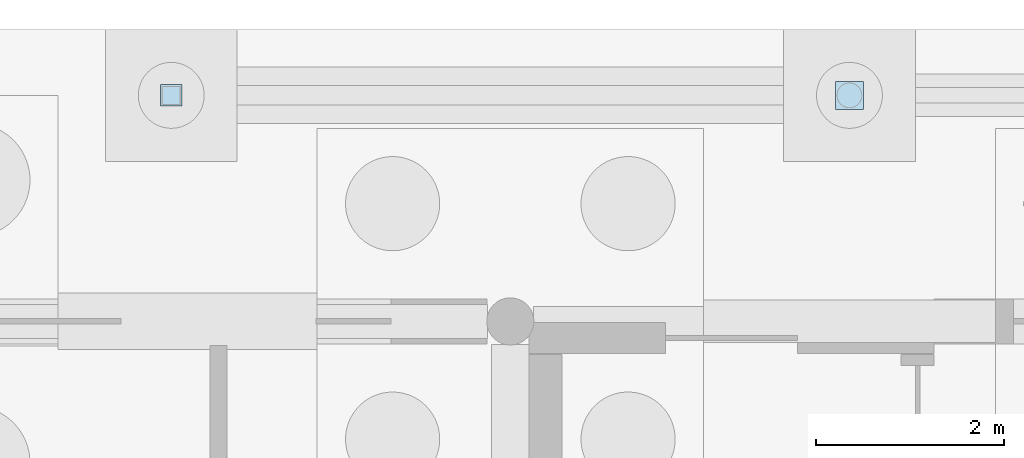
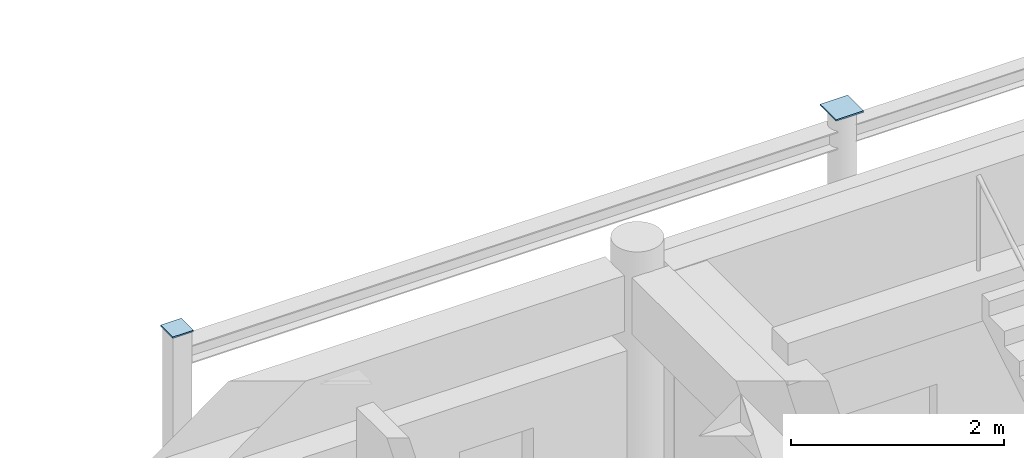
# One storey, part 92 of 143: 2 plates.
"""IFC4 building model written with IfcOpenShell, lengths in metres."""

import ifcopenshell
import ifcopenshell.guid

model = None  # the IFC model being written
_history = None  # IfcOwnerHistory: only IFC2X3 demands one
_inside = {}  # id of a spatial element -> (the spatial element, [elements in it])
_under = {}  # id of a project, library or spatial element -> (it, [spatial elements below it])
_declared = {}  # id of a project -> (the project, [libraries it declares])
_typed = {}  # id of a type object -> (the type object, [elements of that type])
_made_of = {}  # id of a material, layer set ... -> (it, [elements and type objects made of it])


def new_model(schema):
    """Start an empty IFC model of exactly this schema.

    Asked for "IFC4X3", IfcOpenShell would pick the latest addendum, in which some entities
    have other attributes; the version numbers below select the first issue.
    IFC2X3 requires an IfcOwnerHistory on every rooted entity: one is made here for all.
    """
    global model, _history
    if schema == "IFC4X3":
        model = ifcopenshell.file(schema_version=(4, 3, 0, 0))
    else:
        model = ifcopenshell.file(schema=schema)
    _inside.clear()
    _under.clear()
    _declared.clear()
    _typed.clear()
    _made_of.clear()
    _history = None
    if model.schema == "IFC2X3":
        org = make("IfcOrganization", Name="unknown")
        user = make(
            "IfcPersonAndOrganization",
            ThePerson=make("IfcPerson", FamilyName="unknown"),
            TheOrganization=org,
        )
        app = make(
            "IfcApplication",
            ApplicationDeveloper=org,
            Version="unknown",
            ApplicationFullName="unknown",
            ApplicationIdentifier="unknown",
        )
        _history = make(
            "IfcOwnerHistory",
            OwningUser=user,
            OwningApplication=app,
            ChangeAction="ADDED",
            CreationDate=0,
        )
    return model


def make(cls, **values):
    """One entity of the class cls with the attributes given. An attribute that is None is left unset."""
    return model.create_entity(
        cls, **{name: value for name, value in values.items() if value is not None}
    )


def rooted(cls, **values):
    """An entity with a GlobalId (a new one), such as an element, a storey or a relation."""
    return make(cls, GlobalId=ifcopenshell.guid.new(), OwnerHistory=_history, **values)


def si_unit(unit_type, name, prefix=None):
    """IfcSIUnit, for example si_unit("LENGTHUNIT", "METRE", prefix="MILLI")."""
    return make("IfcSIUnit", UnitType=unit_type, Prefix=prefix, Name=name)


def assignment(units):
    """IfcUnitAssignment: the units of a project."""
    return None if units is None else make("IfcUnitAssignment", Units=units)


def point(xyz):
    """IfcCartesianPoint."""
    return None if xyz is None else make("IfcCartesianPoint", Coordinates=xyz)


def direction(xyz):
    """IfcDirection."""
    return None if xyz is None else make("IfcDirection", DirectionRatios=xyz)


def frame(location, z_axis=None, x_axis=None):
    """IfcAxis2Placement3D, a coordinate frame: its origin and axes. An axis left out is left unset."""
    return make(
        "IfcAxis2Placement3D",
        Location=point(location),
        Axis=direction(z_axis),
        RefDirection=direction(x_axis),
    )


def frame_2d(location, x_axis=None):
    """IfcAxis2Placement2D, a coordinate frame in the plane: its origin and x axis."""
    return make(
        "IfcAxis2Placement2D", Location=point(location), RefDirection=direction(x_axis)
    )


def origin():
    """The frame at (0, 0, 0) with its axes left unset."""
    return frame((0.0, 0.0, 0.0))


def origin_2d():
    """The frame at (0, 0) in the plane with its x axis left unset."""
    return frame_2d((0.0, 0.0))


def place(relative_to, where):
    """IfcLocalPlacement: puts the frame where relative to a parent placement (None: the world)."""
    return make(
        "IfcLocalPlacement", PlacementRelTo=relative_to, RelativePlacement=where
    )


def context(
    kind, dimensions, precision=None, world=None, true_north=None, identifier=None
):
    """IfcGeometricRepresentationContext, for example the 3D "Model" context."""
    return make(
        "IfcGeometricRepresentationContext",
        ContextIdentifier=identifier,
        ContextType=kind,
        CoordinateSpaceDimension=dimensions,
        Precision=precision,
        WorldCoordinateSystem=world,
        TrueNorth=true_north,
    )


def subcontext(parent, identifier, kind, view, scale=None):
    """IfcGeometricRepresentationSubContext, for example "Body" below "Model"."""
    return make(
        "IfcGeometricRepresentationSubContext",
        ContextIdentifier=identifier,
        ContextType=kind,
        ParentContext=parent,
        TargetScale=scale,
        TargetView=view,
    )


def project(units=None, contexts=None):
    """IfcProject with its units and contexts."""
    return rooted(
        "IfcProject",
        Name="project",
        RepresentationContexts=contexts,
        UnitsInContext=assignment(units),
    )


def spatial(cls, under=None, at=None, **own):
    """A site, building, storey or space (cls), placed at a placement, below another one or the project."""
    s = rooted(cls, ObjectPlacement=at, **own)
    if under is not None:
        _under.setdefault(under.id(), (under, []))[1].append(s)
    return s


def profile(cls, at=None, kind="AREA", **sizes):
    """A parametric profile (cls). Its sizes go by their IFC names, for example OverallWidth=200.0."""
    return make(cls, ProfileType=kind, Position=at, **sizes)


def rectangle(**sizes):
    """IfcRectangleProfileDef."""
    return profile("IfcRectangleProfileDef", **sizes)


def extrude(swept, where, along, depth):
    """IfcExtrudedAreaSolid: the profile swept, set in the frame where, extruded along a direction by depth."""
    return make(
        "IfcExtrudedAreaSolid",
        SweptArea=swept,
        Position=where,
        ExtrudedDirection=direction(along),
        Depth=depth,
    )


def shape(context_of_items, identifier, shape_type, items):
    """IfcShapeRepresentation: the items that make up one representation, for example the "Body"."""
    return make(
        "IfcShapeRepresentation",
        ContextOfItems=context_of_items,
        RepresentationIdentifier=identifier,
        RepresentationType=shape_type,
        Items=items,
    )


def material(Name=None, Category=None):
    """IfcMaterial."""
    return make("IfcMaterial", Name=Name, Category=Category)


def layer(
    of_material, thickness, ventilated=None, Name=None, Category=None, Priority=None
):
    """IfcMaterialLayer: one layer of a wall or slab, of a material (None: an air gap)."""
    return make(
        "IfcMaterialLayer",
        Material=of_material,
        LayerThickness=thickness,
        IsVentilated=ventilated,
        Name=Name,
        Category=Category,
        Priority=Priority,
    )


def layer_set(layers, Name=None):
    """IfcMaterialLayerSet."""
    return make("IfcMaterialLayerSet", MaterialLayers=layers, LayerSetName=Name)


def made_of(thing, what):
    """Note that an element or type object is made of a material, layer set ...; save() writes the relation."""
    if what is not None:
        _made_of.setdefault(what.id(), (what, []))[1].append(thing)
    return thing


def type_object(cls, material=None, **own):
    """A type object (cls), such as IfcWallType, which elements share."""
    return made_of(rooted(cls, **own), material)


def element(
    cls,
    number,
    at=None,
    inside=None,
    cuts=None,
    type_object=None,
    material=None,
    context=None,
    identifier="Body",
    shape_type=None,
    held_by="IfcProductDefinitionShape",
    body=None,
    shapes=None,
    **own,
):
    """One element of the class cls, such as IfcWall. Its Tag is "e" and its number.

    at: its placement. inside: the storey or other place that contains it. cuts: it is an
    opening in that element (IfcRelVoidsElement). A single representation is given by context,
    identifier, shape_type and body (its items); several are given by shapes. held_by: the class
    of the entity that holds the representations. save() writes the other relations.
    """
    e = rooted(cls, Tag="e%d" % number, ObjectPlacement=at, **own)
    if body is not None:
        shapes = [shape(context, identifier, shape_type, body)]
    if shapes is not None:
        e.Representation = make(held_by, Representations=shapes)
    if inside is not None:
        _inside.setdefault(inside.id(), (inside, []))[1].append(e)
    if cuts is not None:
        rooted(
            "IfcRelVoidsElement", RelatingBuildingElement=cuts, RelatedOpeningElement=e
        )
    if type_object is not None:
        _typed.setdefault(type_object.id(), (type_object, []))[1].append(e)
    return made_of(e, material)


def aggregate(whole, parts):
    """IfcRelAggregates: a whole, such as a stair, and the parts it consists of."""
    return rooted("IfcRelAggregates", RelatingObject=whole, RelatedObjects=parts)


def save(model, path):
    """Write the relations noted so far, then the file.

    IfcRelAggregates (storeys below a building ...), IfcRelContainedInSpatialStructure (elements
    in a storey), IfcRelDefinesByType, IfcRelAssociatesMaterial and IfcRelDeclares: one each for
    every whole, place, type object, material and project.
    """
    for whole, parts in _under.values():
        aggregate(whole, parts)
    for where, things in _inside.values():
        rooted(
            "IfcRelContainedInSpatialStructure",
            RelatedElements=things,
            RelatingStructure=where,
        )
    for kind, things in _typed.values():
        rooted("IfcRelDefinesByType", RelatedObjects=things, RelatingType=kind)
    for what, things in _made_of.values():
        rooted("IfcRelAssociatesMaterial", RelatedObjects=things, RelatingMaterial=what)
    for by, libraries in _declared.values():
        rooted("IfcRelDeclares", RelatingContext=by, RelatedDefinitions=libraries)
    model.write(path)


model = new_model("IFC4")

# Units and contexts
model_context = context("Model", 3, precision=1e-05, world=origin(), true_north=direction((0.0, 1.0)))
body_context = subcontext(model_context, "Body", "Model", "MODEL_VIEW")
ifc_project = project(units=[si_unit("LENGTHUNIT", "METRE"), si_unit("AREAUNIT", "SQUARE_METRE"), si_unit("VOLUMEUNIT", "CUBIC_METRE"), si_unit("PLANEANGLEUNIT", "RADIAN"), si_unit("MASSUNIT", "GRAM", prefix="KILO")], contexts=[model_context])

# Site, building, storey
site_placement = place(None, origin())
site = spatial("IfcSite", under=ifc_project, at=site_placement, CompositionType="ELEMENT")
building_placement = place(site_placement, origin())
building = spatial("IfcBuilding", under=site, at=building_placement, Name="Steenspoor Specialist Clinic", CompositionType="ELEMENT")
storey_placement = place(building_placement, origin())
storey = spatial("IfcBuildingStorey", under=building, at=storey_placement, Name="L00", CompositionType="ELEMENT", Elevation=0.0)

# Plates
ifc_material = material(Name="Steel A572 Grade 50", Category="steel")
ifc_layer = layer(ifc_material, 0.01611328125)
ifc_layer_set = layer_set([ifc_layer], Name="Steel A572 Grade 50")
plate_type = type_object("IfcPlateType", Name="PL-GUS-16", PredefinedType="SHEET", material=ifc_layer_set)
plate_1_placement = place(storey_placement, frame((77.60009765625, 110.75, 3.5478515625), z_axis=(0.0, 0.0, 1.0), x_axis=(1.0, 0.0, 0.0)))
element("IfcPlate", 1, at=plate_1_placement, inside=storey, type_object=plate_type, Name="Hollow Column Top Cap Plate GP-16 3", PredefinedType="SHEET", context=body_context, shape_type="SweptSolid", body=[
    extrude(rectangle(XDim=0.22705078125, YDim=0.22705078125, at=origin_2d()), origin(), (0.0, 0.0, 1.0), 0.01611328125),
])
plate_2_placement = place(storey_placement, frame((84.800048828125, 110.75, 3.5478515625), z_axis=(0.0, 0.0, 1.0), x_axis=(1.0, 0.0, 0.0)))
element("IfcPlate", 2, at=plate_2_placement, inside=storey, type_object=plate_type, Name="Hollow Column Top Cap Plate GP-16 4", PredefinedType="SHEET", context=body_context, shape_type="SweptSolid", body=[
    extrude(rectangle(XDim=0.297119140625, YDim=0.297119140625, at=origin_2d()), origin(), (0.0, 0.0, 1.0), 0.01611328125),
])

save(model, "model.ifc")
